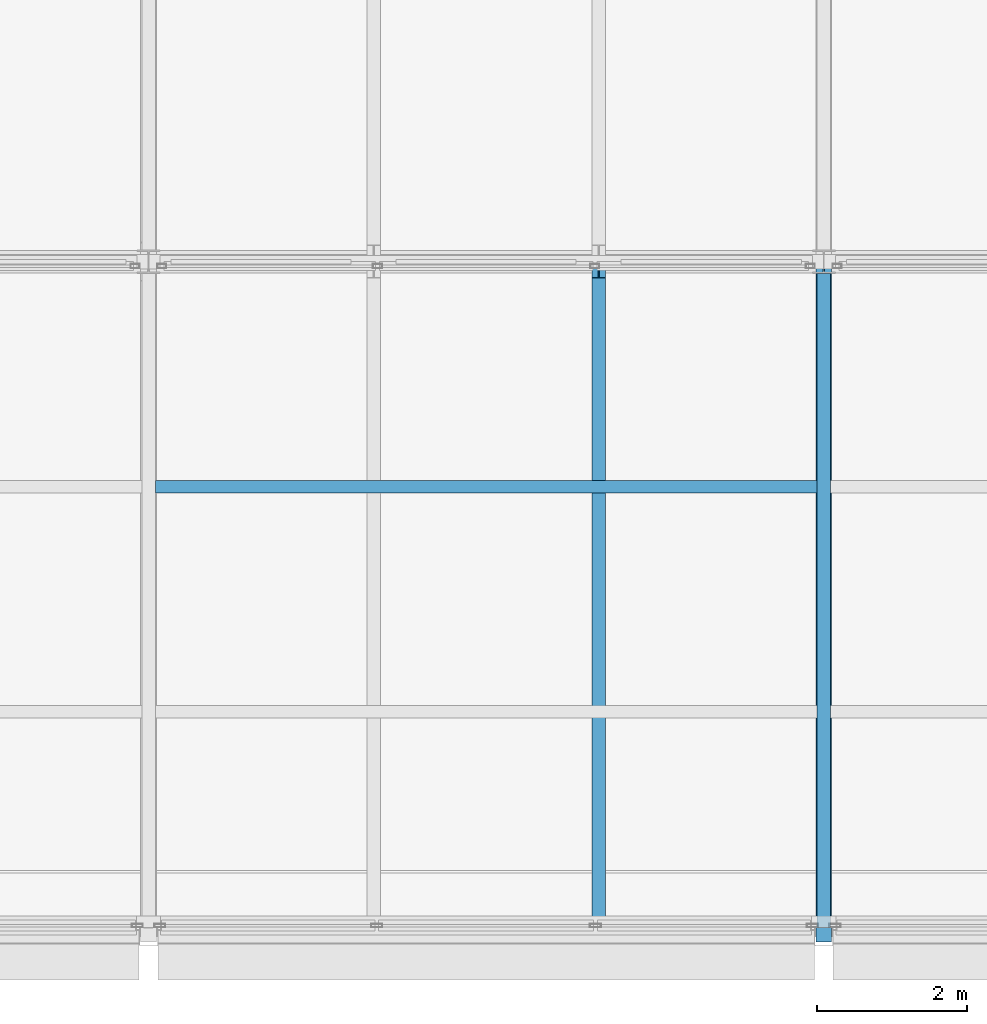
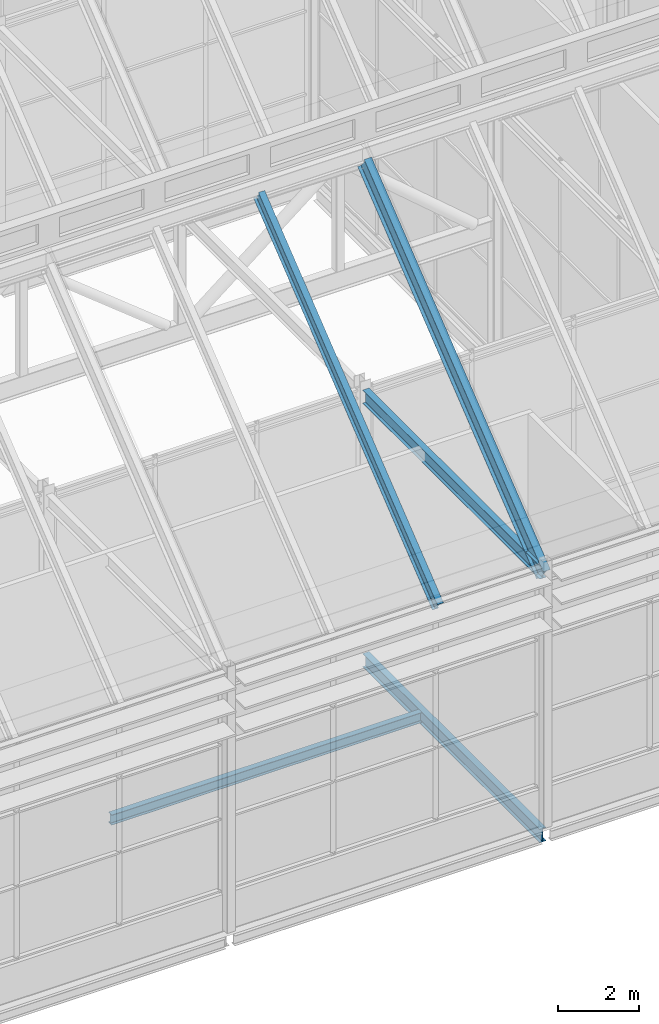
# One storey, part 54 of 144: 3 beams, 2 members.
"""IFC4 building model written with IfcOpenShell, lengths in metres."""

from ifc_helpers import new_model, si_unit, direction, frame, origin, origin_2d, place, context, subcontext, project, spatial, i_section, extrude, material, material_profile, profile_set, type_object, element, save


model = new_model("IFC4")

# Units and contexts
model_context = context("Model", 3, precision=1e-05, world=origin(), true_north=direction((0.0, 1.0)))
body_context = subcontext(model_context, "Body", "Model", "MODEL_VIEW")
ifc_project = project(units=[si_unit("LENGTHUNIT", "METRE"), si_unit("AREAUNIT", "SQUARE_METRE"), si_unit("VOLUMEUNIT", "CUBIC_METRE"), si_unit("PLANEANGLEUNIT", "RADIAN"), si_unit("MASSUNIT", "GRAM", prefix="KILO")], contexts=[model_context])

# Site, building, storey
site_placement = place(None, origin())
site = spatial("IfcSite", under=ifc_project, at=site_placement, CompositionType="ELEMENT")
building_placement = place(site_placement, origin())
building = spatial("IfcBuilding", under=site, at=building_placement, Name="Shorebreak Coast Museum", CompositionType="ELEMENT")
storey_placement = place(building_placement, frame((0.0, 0.0, 36.0)))
storey = spatial("IfcBuildingStorey", under=building, at=storey_placement, Name="L06", CompositionType="ELEMENT", Elevation=36.0)

# Beams
ifc_material_1 = material(Name="Steel Grade 300", Category="steel")
ifc_material_profile_1 = material_profile(ifc_material_1, i_section(OverallWidth=0.177978515625, OverallDepth=0.406494140625, WebThickness=0.0078125, FlangeThickness=0.0126953125, FilletRadius=0.011474609375, at=origin_2d()), Name="410UB59.7")
ifc_profile_set_1 = profile_set([ifc_material_profile_1], Name="Steel Grade 300")
beam_type_1 = type_object("IfcBeamType", Name="Floor girder north-south 410UB59.7", PredefinedType="BEAM", material=ifc_profile_set_1)
beam_1_placement = place(storey_placement, frame((99.0, 54.125, -0.378173828125), z_axis=(0.0, 1.0, 0.0), x_axis=(-1.0, 0.0, 0.0)))
element("IfcBeam", 1, at=beam_1_placement, inside=storey, type_object=beam_type_1, Name="Floor girder north-south L06 12G", PredefinedType="BEAM", context=body_context, shape_type="SweptSolid", body=[
    extrude(i_section(OverallWidth=0.177978515625, OverallDepth=0.406494140625, WebThickness=0.0078125, FlangeThickness=0.0126953125, FilletRadius=0.011474609375, at=origin_2d()), origin(), (0.0, 0.0, 1.0), 8.7177734375),
])
ifc_material_2 = material(Name="Steel Grade 300", Category="steel")
ifc_material_profile_2 = material_profile(ifc_material_2, i_section(OverallWidth=0.1650390625, OverallDepth=0.303955078125, WebThickness=0.006103515625, FlangeThickness=0.01025390625, FilletRadius=0.011474609375, at=origin_2d()), Name="310UB40.4")
ifc_profile_set_2 = profile_set([ifc_material_profile_2], Name="Steel Grade 300")
beam_type_2 = type_object("IfcBeamType", Name="Floor joist 310UB40.4", PredefinedType="JOIST", material=ifc_profile_set_2)
beam_2_placement = place(storey_placement, frame((90.089111328125, 60.0, -0.326904296875), z_axis=(1.0, 0.0, 0.0), x_axis=(0.0, 1.0, 0.0)))
element("IfcBeam", 2, at=beam_2_placement, inside=storey, type_object=beam_type_2, Name="Floor joist L06 bay 11G at 6000 mm", PredefinedType="JOIST", context=body_context, shape_type="SweptSolid", body=[
    extrude(i_section(OverallWidth=0.1650390625, OverallDepth=0.303955078125, WebThickness=0.006103515625, FlangeThickness=0.01025390625, FilletRadius=0.011474609375, at=origin_2d()), origin(), (0.0, 0.0, 1.0), 8.82177734375),
])

# Members
ifc_material_3 = material(Name="Steel Grade 300", Category="steel")
ifc_material_profile_3 = material_profile(ifc_material_3, i_section(OverallWidth=0.177978515625, OverallDepth=0.402587890625, WebThickness=0.007568359375, FlangeThickness=0.010986328125, FilletRadius=0.011474609375, at=origin_2d()), Name="410UB53.7")
ifc_profile_set_3 = profile_set([ifc_material_profile_3], Name="Steel Grade 300")
member_type_1 = type_object("IfcMemberType", Name="Fold rafter 410UB53.7", PredefinedType="RAFTER", material=ifc_profile_set_3)
member_1_placement = place(storey_placement, frame((96.0, 62.905029296875, 14.610107421875), z_axis=(0.0, -0.780866698312, -0.624697686459), x_axis=(1.0, 0.0, 0.0)))
element("IfcMember", 3, at=member_1_placement, inside=storey, type_object=member_type_1, Name="Fold rafter FOLD-X line 1 15", PredefinedType="RAFTER", context=body_context, shape_type="SweptSolid", body=[
    extrude(i_section(OverallWidth=0.177978515625, OverallDepth=0.402587890625, WebThickness=0.007568359375, FlangeThickness=0.010986328125, FilletRadius=0.011474609375, at=origin_2d()), origin(), (0.0, 0.0, 1.0), 11.282470703125),
])
ifc_material_4 = material(Name="Steel Grade 300", Category="steel")
ifc_material_profile_4 = material_profile(ifc_material_4, i_section(OverallWidth=0.208984375, OverallDepth=0.5283203125, WebThickness=0.009521484375, FlangeThickness=0.01318359375, FilletRadius=0.013916015625, at=origin_2d()), Name="530UB82.0")
ifc_profile_set_4 = profile_set([ifc_material_profile_4], Name="Steel Grade 300")
member_type_2 = type_object("IfcMemberType", Name="Fold rib rafter 530UB82.0", PredefinedType="RAFTER", material=ifc_profile_set_4)
member_2_placement = place(storey_placement, frame((99.0, 62.905029296875, 14.52978515625), z_axis=(0.0, -0.780866698312, -0.624697686459), x_axis=(1.0, 0.0, 0.0)))
element("IfcMember", 4, at=member_2_placement, inside=storey, type_object=member_type_2, Name="Fold rib rafter FOLD-X line 1 16", PredefinedType="RAFTER", context=body_context, shape_type="SweptSolid", body=[
    extrude(i_section(OverallWidth=0.208984375, OverallDepth=0.5283203125, WebThickness=0.009521484375, FlangeThickness=0.01318359375, FilletRadius=0.013916015625, at=origin_2d()), origin(), (0.0, 0.0, 1.0), 11.282470703125),
])

# Beam
ifc_material_5 = material(Name="Steel Grade 300", Category="steel")
ifc_material_profile_5 = material_profile(ifc_material_5, i_section(OverallWidth=0.177978515625, OverallDepth=0.402587890625, WebThickness=0.007568359375, FlangeThickness=0.010986328125, FilletRadius=0.011474609375, at=origin_2d()), Name="410UB53.7")
ifc_profile_set_5 = profile_set([ifc_material_profile_5], Name="Steel Grade 300")
beam_type_3 = type_object("IfcBeamType", Name="Fold rib tie 410UB53.7", PredefinedType="BEAM", material=ifc_profile_set_5)
beam_3_placement = place(storey_placement, frame((99.0, 54.125, 7.54248046875), z_axis=(0.0, 1.0, 0.0), x_axis=(-1.0, 0.0, 0.0)))
element("IfcBeam", 5, at=beam_3_placement, inside=storey, type_object=beam_type_3, Name="Fold rib tie FOLD-X rib 12 G-H", PredefinedType="BEAM", context=body_context, shape_type="SweptSolid", body=[
    extrude(i_section(OverallWidth=0.177978515625, OverallDepth=0.402587890625, WebThickness=0.007568359375, FlangeThickness=0.010986328125, FilletRadius=0.011474609375, at=origin_2d()), origin(), (0.0, 0.0, 1.0), 8.7177734375),
])

save(model, "model.ifc")
